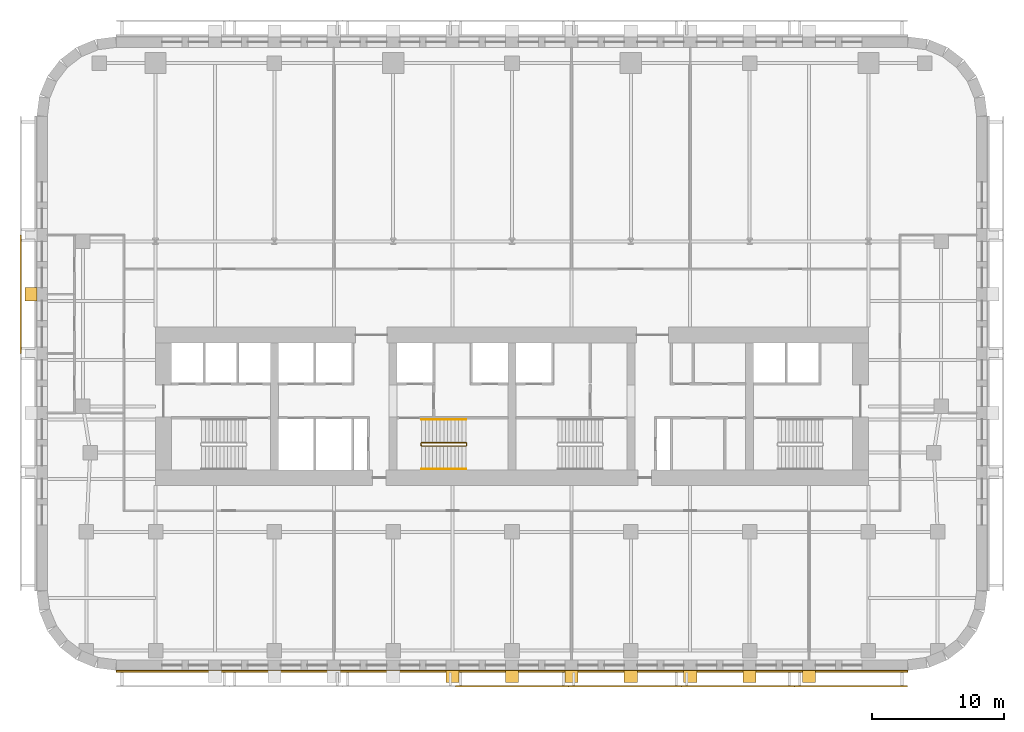
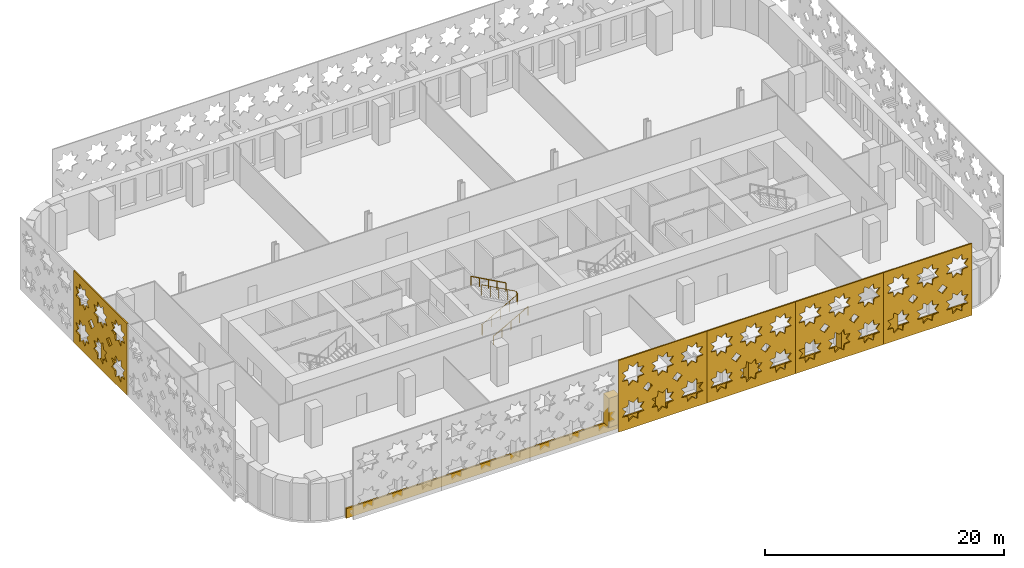
# One storey, part 11 of 14: 14 coverings, 3 railings.
"""IFC4 building model written with IfcOpenShell, lengths in metres."""

from ifc_helpers import new_model, si_unit, direction, frame, origin, origin_2d, place, context, subcontext, project, spatial, polyline, circle, outline, extrude, material, layer, layer_set, type_object, element, save


model = new_model("IFC4")

# Units and contexts
model_context = context("Model", 3, precision=1e-05, world=origin(), true_north=direction((0.0, 1.0)))
body_context = subcontext(model_context, "Body", "Model", "MODEL_VIEW")
ifc_project = project(units=[si_unit("LENGTHUNIT", "METRE"), si_unit("AREAUNIT", "SQUARE_METRE"), si_unit("VOLUMEUNIT", "CUBIC_METRE"), si_unit("PLANEANGLEUNIT", "RADIAN"), si_unit("MASSUNIT", "GRAM", prefix="KILO")], contexts=[model_context])

# Site, building, storey
site_placement = place(None, origin())
site = spatial("IfcSite", under=ifc_project, at=site_placement, CompositionType="ELEMENT")
building_placement = place(site_placement, origin())
building = spatial("IfcBuilding", under=site, at=building_placement, Name="Zellij Exchange Tower", CompositionType="ELEMENT")
storey_placement = place(building_placement, frame((0.0, 0.0, 68.5)))
storey = spatial("IfcBuildingStorey", under=building, at=storey_placement, Name="L13", CompositionType="ELEMENT", Elevation=68.5)

# Railings
ifc_material_1 = material(Name="Stainless steel", Category="steel")
railing_type_1 = type_object("IfcRailingType", Name="CORE-RG stair guard", PredefinedType="GUARDRAIL", material=ifc_material_1)
railing_1_placement = place(storey_placement, frame((-6.89990234375, -10.949951171875, 0.0)))
element("IfcRailing", 1, at=railing_1_placement, inside=storey, type_object=railing_type_1, Name="ST2 stair guard L13", PredefinedType="GUARDRAIL", context=body_context, shape_type="SweptSolid", body=[
    extrude(circle(Radius=0.02392578125, at=origin_2d()), frame((0.0, 0.0, 1.076171875), z_axis=(0.0, 1.0, 0.0), x_axis=(-1.0, 0.0, 0.0)), (0.0, 0.0, 1.0), 0.14990234375),
    extrude(circle(Radius=0.02392578125, at=origin_2d()), frame((0.0, 0.14990234375, 1.076171875), z_axis=(0.193691321961, -0.777613689637, 0.598164376644), x_axis=(0.970351222016, 0.241699205484, 0.0)), (0.0, 0.0, 1.0), 0.257080078125),
    extrude(circle(Radius=0.02392578125, at=origin_2d()), frame((0.0498046875, -0.050048828125, 1.22998046875), z_axis=(0.876421534553, 0.0, 0.481544695509), x_axis=(0.0, 1.0, 0.0)), (0.0, 0.0, 1.0), 3.833984375),
    extrude(circle(Radius=0.02392578125, at=origin_2d()), frame((3.409912109375, -0.050048828125, 3.076171875), z_axis=(0.707106781187, 0.707106781187, 0.0), x_axis=(-0.707106781187, 0.707106781187, 0.0)), (0.0, 0.0, 1.0), 0.07080078125),
    extrude(circle(Radius=0.02392578125, at=origin_2d()), frame((3.4599609375, 0.0, 3.076171875), z_axis=(0.0, 1.0, 0.0), x_axis=(-1.0, 0.0, 0.0)), (0.0, 0.0, 1.0), 0.14990234375),
    extrude(circle(Radius=0.02392578125, at=origin_2d()), frame((3.4599609375, 0.14990234375, 3.076171875), z_axis=(-0.295599637079, 0.295599637079, 0.908428152975), x_axis=(-0.707106781187, -0.707106781187, 0.0)), (0.0, 0.0, 1.0), 0.16943359375),
    extrude(circle(Radius=0.02392578125, at=origin_2d()), frame((3.409912109375, 0.199951171875, 3.22998046875), z_axis=(-0.876421534553, 0.0, 0.481544695509), x_axis=(0.0, -1.0, 0.0)), (0.0, 0.0, 1.0), 3.833984375),
    extrude(circle(Radius=0.02099609375, at=origin_2d()), origin(), (0.0, 0.0, 1.0), 1.052001953125),
    extrude(circle(Radius=0.02099609375, at=origin_2d()), frame((0.0, 0.14990234375, 0.0)), (0.0, 0.0, 1.0), 1.052001953125),
    extrude(circle(Radius=0.02099609375, at=origin_2d()), frame((0.0498046875, -0.050048828125, 0.15380859375)), (0.0, 0.0, 1.0), 1.052001953125),
    extrude(circle(Radius=0.02099609375, at=origin_2d()), frame((0.889892578125, -0.050048828125, 0.615234375)), (0.0, 0.0, 1.0), 1.052001953125),
    extrude(circle(Radius=0.02099609375, at=origin_2d()), frame((1.72998046875, -0.050048828125, 1.076904296875)), (0.0, 0.0, 1.0), 1.052001953125),
    extrude(circle(Radius=0.02099609375, at=origin_2d()), frame((2.56982421875, -0.050048828125, 1.53857421875)), (0.0, 0.0, 1.0), 1.052001953125),
    extrude(circle(Radius=0.02099609375, at=origin_2d()), frame((3.409912109375, -0.050048828125, 2.0)), (0.0, 0.0, 1.0), 1.052001953125),
    extrude(circle(Radius=0.02099609375, at=origin_2d()), frame((3.4599609375, 0.0, 2.0)), (0.0, 0.0, 1.0), 1.052001953125),
    extrude(circle(Radius=0.02099609375, at=origin_2d()), frame((3.4599609375, 0.14990234375, 2.0)), (0.0, 0.0, 1.0), 1.052001953125),
    extrude(circle(Radius=0.02099609375, at=origin_2d()), frame((3.409912109375, 0.199951171875, 2.15380859375)), (0.0, 0.0, 1.0), 1.052001953125),
    extrude(circle(Radius=0.02099609375, at=origin_2d()), frame((2.56982421875, 0.199951171875, 2.615234375)), (0.0, 0.0, 1.0), 1.052001953125),
    extrude(circle(Radius=0.02099609375, at=origin_2d()), frame((1.72998046875, 0.199951171875, 3.076904296875)), (0.0, 0.0, 1.0), 1.052001953125),
    extrude(circle(Radius=0.02099609375, at=origin_2d()), frame((0.889892578125, 0.199951171875, 3.53857421875)), (0.0, 0.0, 1.0), 1.052001953125),
    extrude(circle(Radius=0.02099609375, at=origin_2d()), frame((0.0498046875, 0.199951171875, 4.0)), (0.0, 0.0, 1.0), 1.052001953125),
])
railing_type_2 = type_object("IfcRailingType", Name="CORE-RH stair handrail", PredefinedType="HANDRAIL", material=ifc_material_1)
railing_2_placement = place(storey_placement, frame((-6.85009765625, -12.75, 0.15380859375)))
element("IfcRailing", 2, at=railing_2_placement, inside=storey, type_object=railing_type_2, Name="ST2 stair handrail L13", PredefinedType="HANDRAIL", context=body_context, shape_type="SweptSolid", body=[
    extrude(circle(Radius=0.02392578125, at=origin_2d()), frame((0.0, 0.0, 0.8759765625), z_axis=(0.876421534553, 0.0, 0.481544695509), x_axis=(0.0, 1.0, 0.0)), (0.0, 0.0, 1.0), 3.833984375),
    extrude(circle(Radius=0.02099609375, at=origin_2d()), origin(), (0.0, 0.0, 1.0), 0.851806640625),
    extrude(circle(Radius=0.02099609375, at=origin_2d()), frame((0.840087890625, 0.0, 0.46142578125)), (0.0, 0.0, 1.0), 0.851806640625),
    extrude(circle(Radius=0.02099609375, at=origin_2d()), frame((1.68017578125, 0.0, 0.923095703125)), (0.0, 0.0, 1.0), 0.851806640625),
    extrude(circle(Radius=0.02099609375, at=origin_2d()), frame((2.52001953125, 0.0, 1.384765625)), (0.0, 0.0, 1.0), 0.851806640625),
    extrude(circle(Radius=0.02099609375, at=origin_2d()), frame((3.360107421875, 0.0, 1.84619140625)), (0.0, 0.0, 1.0), 0.851806640625),
])
railing_3_placement = place(storey_placement, frame((-3.489990234375, -9.0, 2.15380859375)))
element("IfcRailing", 3, at=railing_3_placement, inside=storey, type_object=railing_type_2, Name="ST2 stair handrail L13", PredefinedType="HANDRAIL", context=body_context, shape_type="SweptSolid", body=[
    extrude(circle(Radius=0.02392578125, at=origin_2d()), frame((0.0, 0.0, 0.8759765625), z_axis=(-0.876421534553, 0.0, 0.481544695509), x_axis=(0.0, -1.0, 0.0)), (0.0, 0.0, 1.0), 3.833984375),
    extrude(circle(Radius=0.02099609375, at=origin_2d()), origin(), (0.0, 0.0, 1.0), 0.851806640625),
    extrude(circle(Radius=0.02099609375, at=origin_2d()), frame((-0.840087890625, 0.0, 0.46142578125)), (0.0, 0.0, 1.0), 0.851806640625),
    extrude(circle(Radius=0.02099609375, at=origin_2d()), frame((-1.68017578125, 0.0, 0.923095703125)), (0.0, 0.0, 1.0), 0.851806640625),
    extrude(circle(Radius=0.02099609375, at=origin_2d()), frame((-2.52001953125, 0.0, 1.384765625)), (0.0, 0.0, 1.0), 0.851806640625),
    extrude(circle(Radius=0.02099609375, at=origin_2d()), frame((-3.360107421875, 0.0, 1.84619140625)), (0.0, 0.0, 1.0), 0.851806640625),
])

# Coverings
ifc_material_2 = material(Name="Limestone cladding", Category="masonry")
ifc_layer_1 = layer(ifc_material_2, 0.14990234375)
ifc_layer_set_1 = layer_set([ifc_layer_1], Name="Limestone cladding")
covering_type_1 = type_object("IfcCoveringType", Name="ENV-CV1 Stone spandrel band 150", PredefinedType="CLADDING", material=ifc_layer_set_1)
covering_1_placement = place(storey_placement, frame((0.0, 0.0, -0.199951171875)))
element("IfcCovering", 4, at=covering_1_placement, inside=storey, type_object=covering_type_1, Name="Stone spandrel band", PredefinedType="CLADDING", context=body_context, shape_type="SweptSolid", body=[
    extrude(outline(polyline([(-29.973876953125, -28.0), (29.973876953125, -28.0), (29.983642578125, -28.14990234375), (-29.983642578125, -28.14990234375), (-29.973876953125, -28.0)])), origin(), (0.0, 0.0, 1.0), 1.0),
])
covering_type_2 = type_object("IfcCoveringType", Name="ENV-CV2 Stone pier 1000x900", PredefinedType="CLADDING", material=ifc_material_2)
covering_2_placement = place(storey_placement, frame((0.0, 0.0, 0.800048828125)))
element("IfcCovering", 5, at=covering_2_placement, inside=storey, type_object=covering_type_2, Name="Stone pier", PredefinedType="CLADDING", context=body_context, shape_type="SweptSolid", body=[
    extrude(outline(polyline([(-5.0, -28.0), (-4.0, -28.0), (-4.0, -28.89990234375), (-5.0, -28.89990234375), (-5.0, -28.0)])), origin(), (0.0, 0.0, 1.0), 3.0),
])
covering_3_placement = place(storey_placement, frame((0.0, 0.0, 0.800048828125)))
element("IfcCovering", 6, at=covering_3_placement, inside=storey, type_object=covering_type_2, Name="Stone pier", PredefinedType="CLADDING", context=body_context, shape_type="SweptSolid", body=[
    extrude(outline(polyline([(-0.5, -28.0), (0.5, -28.0), (0.5, -28.89990234375), (-0.5, -28.89990234375), (-0.5, -28.0)])), origin(), (0.0, 0.0, 1.0), 3.0),
])
covering_4_placement = place(storey_placement, frame((0.0, 0.0, 0.800048828125)))
element("IfcCovering", 7, at=covering_4_placement, inside=storey, type_object=covering_type_2, Name="Stone pier", PredefinedType="CLADDING", context=body_context, shape_type="SweptSolid", body=[
    extrude(outline(polyline([(4.0, -28.0), (5.0, -28.0), (5.0, -28.89990234375), (4.0, -28.89990234375), (4.0, -28.0)])), origin(), (0.0, 0.0, 1.0), 3.0),
])
covering_5_placement = place(storey_placement, frame((0.0, 0.0, 0.800048828125)))
element("IfcCovering", 8, at=covering_5_placement, inside=storey, type_object=covering_type_2, Name="Stone pier", PredefinedType="CLADDING", context=body_context, shape_type="SweptSolid", body=[
    extrude(outline(polyline([(8.5, -28.0), (9.5, -28.0), (9.5, -28.89990234375), (8.5, -28.89990234375), (8.5, -28.0)])), origin(), (0.0, 0.0, 1.0), 3.0),
])
covering_6_placement = place(storey_placement, frame((0.0, 0.0, 0.800048828125)))
element("IfcCovering", 9, at=covering_6_placement, inside=storey, type_object=covering_type_2, Name="Stone pier", PredefinedType="CLADDING", context=body_context, shape_type="SweptSolid", body=[
    extrude(outline(polyline([(13.0, -28.0), (14.0, -28.0), (14.0, -28.89990234375), (13.0, -28.89990234375), (13.0, -28.0)])), origin(), (0.0, 0.0, 1.0), 3.0),
])
covering_7_placement = place(storey_placement, frame((0.0, 0.0, 0.800048828125)))
element("IfcCovering", 10, at=covering_7_placement, inside=storey, type_object=covering_type_2, Name="Stone pier", PredefinedType="CLADDING", context=body_context, shape_type="SweptSolid", body=[
    extrude(outline(polyline([(17.5, -28.0), (18.5, -28.0), (18.5, -28.89990234375), (17.5, -28.89990234375), (17.5, -28.0)])), origin(), (0.0, 0.0, 1.0), 3.0),
])
covering_8_placement = place(storey_placement, frame((0.0, 0.0, 0.800048828125)))
element("IfcCovering", 11, at=covering_8_placement, inside=storey, type_object=covering_type_2, Name="Stone pier", PredefinedType="CLADDING", context=body_context, shape_type="SweptSolid", body=[
    extrude(outline(polyline([(22.0, -28.0), (23.0, -28.0), (23.0, -28.89990234375), (22.0, -28.89990234375), (22.0, -28.0)])), origin(), (0.0, 0.0, 1.0), 3.0),
])
covering_9_placement = place(storey_placement, frame((0.0, 0.0, 0.800048828125)))
element("IfcCovering", 12, at=covering_9_placement, inside=storey, type_object=covering_type_2, Name="Stone pier", PredefinedType="CLADDING", context=body_context, shape_type="SweptSolid", body=[
    extrude(outline(polyline([(-36.0, 0.993408203125), (-36.0, -0.006591796875), (-36.89990234375, -0.006591796875), (-36.89990234375, 0.993408203125), (-36.0, 0.993408203125)])), origin(), (0.0, 0.0, 1.0), 3.0),
])
ifc_material_3 = material(Name="Limestone screen", Category="masonry")
ifc_layer_2 = layer(ifc_material_3, 0.1201171875)
ifc_layer_set_2 = layer_set([ifc_layer_2], Name="Limestone screen")
covering_type_3 = type_object("IfcCoveringType", Name="ENV-SC1 Pierced stone screen 120", PredefinedType="USERDEFINED", material=ifc_layer_set_2)
covering_10_placement = place(storey_placement, frame((-37.2099609375, 4.973876953125, 0.300048828125), z_axis=(0.0, 0.0, 1.0), x_axis=(0.0, -1.0, 0.0)))
element("IfcCovering", 13, at=covering_10_placement, inside=storey, type_object=covering_type_3, Name="Pierced stone screen", ObjectType="SCREEN", PredefinedType="USERDEFINED", context=body_context, shape_type="SweptSolid", body=[
    extrude(outline(polyline([(0.0, 0.0), (8.973876953125, 0.0), (8.973876953125, 7.35009765625), (0.0, 7.35009765625), (0.0, 0.0)]), holes=[polyline([(2.60107421875, 2.29541015625), (2.020263671875, 2.362060546875), (1.95361328125, 2.94287109375), (1.49560546875, 2.579345703125), (1.03759765625, 2.94287109375), (0.97119140625, 2.362060546875), (0.39013671875, 2.29541015625), (0.75390625, 1.83740234375), (0.39013671875, 1.379638671875), (0.97119140625, 1.31298828125), (1.03759765625, 0.732177734375), (1.49560546875, 1.095703125), (1.95361328125, 0.732177734375), (2.020263671875, 1.31298828125), (2.60107421875, 1.379638671875), (2.237548828125, 1.83740234375), (2.60107421875, 2.29541015625)]), polyline([(2.60107421875, 5.970458984375), (2.020263671875, 6.037109375), (1.95361328125, 6.617919921875), (1.49560546875, 6.25439453125), (1.03759765625, 6.617919921875), (0.97119140625, 6.037109375), (0.39013671875, 5.970458984375), (0.75390625, 5.512451171875), (0.39013671875, 5.0546875), (0.97119140625, 4.98779296875), (1.03759765625, 4.406982421875), (1.49560546875, 4.770751953125), (1.95361328125, 4.406982421875), (2.020263671875, 4.98779296875), (2.60107421875, 5.0546875), (2.237548828125, 5.512451171875), (2.60107421875, 5.970458984375)]), polyline([(5.59228515625, 2.29541015625), (5.011474609375, 2.362060546875), (4.94482421875, 2.94287109375), (4.48681640625, 2.579345703125), (4.029052734375, 2.94287109375), (3.96240234375, 2.362060546875), (3.381591796875, 2.29541015625), (3.7451171875, 1.83740234375), (3.381591796875, 1.379638671875), (3.96240234375, 1.31298828125), (4.029052734375, 0.732177734375), (4.48681640625, 1.095703125), (4.94482421875, 0.732177734375), (5.011474609375, 1.31298828125), (5.59228515625, 1.379638671875), (5.228759765625, 1.83740234375), (5.59228515625, 2.29541015625)]), polyline([(5.59228515625, 5.970458984375), (5.011474609375, 6.037109375), (4.94482421875, 6.617919921875), (4.48681640625, 6.25439453125), (4.029052734375, 6.617919921875), (3.96240234375, 6.037109375), (3.381591796875, 5.970458984375), (3.7451171875, 5.512451171875), (3.381591796875, 5.0546875), (3.96240234375, 4.98779296875), (4.029052734375, 4.406982421875), (4.48681640625, 4.770751953125), (4.94482421875, 4.406982421875), (5.011474609375, 4.98779296875), (5.59228515625, 5.0546875), (5.228759765625, 5.512451171875), (5.59228515625, 5.970458984375)]), polyline([(8.58349609375, 2.29541015625), (8.002685546875, 2.362060546875), (7.93603515625, 2.94287109375), (7.478271484375, 2.579345703125), (7.020263671875, 2.94287109375), (6.95361328125, 2.362060546875), (6.372802734375, 2.29541015625), (6.736328125, 1.83740234375), (6.372802734375, 1.379638671875), (6.95361328125, 1.31298828125), (7.020263671875, 0.732177734375), (7.478271484375, 1.095703125), (7.93603515625, 0.732177734375), (8.002685546875, 1.31298828125), (8.58349609375, 1.379638671875), (8.219970703125, 1.83740234375), (8.58349609375, 2.29541015625)]), polyline([(8.58349609375, 5.970458984375), (8.002685546875, 6.037109375), (7.93603515625, 6.617919921875), (7.478271484375, 6.25439453125), (7.020263671875, 6.617919921875), (6.95361328125, 6.037109375), (6.372802734375, 5.970458984375), (6.736328125, 5.512451171875), (6.372802734375, 5.0546875), (6.95361328125, 4.98779296875), (7.020263671875, 4.406982421875), (7.478271484375, 4.770751953125), (7.93603515625, 4.406982421875), (8.002685546875, 4.98779296875), (8.58349609375, 5.0546875), (8.219970703125, 5.512451171875), (8.58349609375, 5.970458984375)]), polyline([(3.469970703125, 3.675048828125), (2.9912109375, 4.153564453125), (2.5126953125, 3.675048828125), (2.9912109375, 3.1962890625), (3.469970703125, 3.675048828125)]), polyline([(6.461181640625, 3.675048828125), (5.982421875, 4.153564453125), (5.50390625, 3.675048828125), (5.982421875, 3.1962890625), (6.461181640625, 3.675048828125)])]), frame((0.0, 0.06005859375, 0.0), z_axis=(0.0, -1.0, 0.0), x_axis=(1.0, 0.0, 0.0)), (0.0, 0.0, 1.0), 0.1201171875),
])
covering_11_placement = place(storey_placement, frame((-4.2783203125, -29.2099609375, 0.300048828125), z_axis=(0.0, 0.0, 1.0), x_axis=(1.0, 0.0, 0.0)))
element("IfcCovering", 14, at=covering_11_placement, inside=storey, type_object=covering_type_3, Name="Pierced stone screen", ObjectType="SCREEN", PredefinedType="USERDEFINED", context=body_context, shape_type="SweptSolid", body=[
    extrude(outline(polyline([(0.0, 0.0), (8.556396484375, 0.0), (8.556396484375, 7.35009765625), (0.0, 7.35009765625), (0.0, 0.0)]), holes=[polyline([(2.47998046875, 2.274169921875), (1.92626953125, 2.337646484375), (1.86279296875, 2.8916015625), (1.426025390625, 2.544921875), (0.989501953125, 2.8916015625), (0.92578125, 2.337646484375), (0.3720703125, 2.274169921875), (0.71875, 1.83740234375), (0.3720703125, 1.40087890625), (0.92578125, 1.33740234375), (0.989501953125, 0.783447265625), (1.426025390625, 1.130126953125), (1.86279296875, 0.783447265625), (1.92626953125, 1.33740234375), (2.47998046875, 1.40087890625), (2.13330078125, 1.83740234375), (2.47998046875, 2.274169921875)]), polyline([(2.47998046875, 5.94921875), (1.92626953125, 6.0126953125), (1.86279296875, 6.56640625), (1.426025390625, 6.2197265625), (0.989501953125, 6.56640625), (0.92578125, 6.0126953125), (0.3720703125, 5.94921875), (0.71875, 5.512451171875), (0.3720703125, 5.075927734375), (0.92578125, 5.01220703125), (0.989501953125, 4.45849609375), (1.426025390625, 4.80517578125), (1.86279296875, 4.45849609375), (1.92626953125, 5.01220703125), (2.47998046875, 5.075927734375), (2.13330078125, 5.512451171875), (2.47998046875, 5.94921875)]), polyline([(5.332275390625, 2.274169921875), (4.7783203125, 2.337646484375), (4.71484375, 2.8916015625), (4.2783203125, 2.544921875), (3.841552734375, 2.8916015625), (3.778076171875, 2.337646484375), (3.22412109375, 2.274169921875), (3.57080078125, 1.83740234375), (3.22412109375, 1.40087890625), (3.778076171875, 1.33740234375), (3.841552734375, 0.783447265625), (4.2783203125, 1.130126953125), (4.71484375, 0.783447265625), (4.7783203125, 1.33740234375), (5.332275390625, 1.40087890625), (4.985595703125, 1.83740234375), (5.332275390625, 2.274169921875)]), polyline([(5.332275390625, 5.94921875), (4.7783203125, 6.0126953125), (4.71484375, 6.56640625), (4.2783203125, 6.2197265625), (3.841552734375, 6.56640625), (3.778076171875, 6.0126953125), (3.22412109375, 5.94921875), (3.57080078125, 5.512451171875), (3.22412109375, 5.075927734375), (3.778076171875, 5.01220703125), (3.841552734375, 4.45849609375), (4.2783203125, 4.80517578125), (4.71484375, 4.45849609375), (4.7783203125, 5.01220703125), (5.332275390625, 5.075927734375), (4.985595703125, 5.512451171875), (5.332275390625, 5.94921875)]), polyline([(8.184326171875, 2.274169921875), (7.630615234375, 2.337646484375), (7.56689453125, 2.8916015625), (7.13037109375, 2.544921875), (6.69384765625, 2.8916015625), (6.630126953125, 2.337646484375), (6.076416015625, 2.274169921875), (6.423095703125, 1.83740234375), (6.076416015625, 1.40087890625), (6.630126953125, 1.33740234375), (6.69384765625, 0.783447265625), (7.13037109375, 1.130126953125), (7.56689453125, 0.783447265625), (7.630615234375, 1.33740234375), (8.184326171875, 1.40087890625), (7.837646484375, 1.83740234375), (8.184326171875, 2.274169921875)]), polyline([(8.184326171875, 5.94921875), (7.630615234375, 6.0126953125), (7.56689453125, 6.56640625), (7.13037109375, 6.2197265625), (6.69384765625, 6.56640625), (6.630126953125, 6.0126953125), (6.076416015625, 5.94921875), (6.423095703125, 5.512451171875), (6.076416015625, 5.075927734375), (6.630126953125, 5.01220703125), (6.69384765625, 4.45849609375), (7.13037109375, 4.80517578125), (7.56689453125, 4.45849609375), (7.630615234375, 5.01220703125), (8.184326171875, 5.075927734375), (7.837646484375, 5.512451171875), (8.184326171875, 5.94921875)]), polyline([(3.30859375, 3.675048828125), (2.852294921875, 4.13134765625), (2.395751953125, 3.675048828125), (2.852294921875, 3.21875), (3.30859375, 3.675048828125)]), polyline([(6.16064453125, 3.675048828125), (5.704345703125, 4.13134765625), (5.248046875, 3.675048828125), (5.704345703125, 3.21875), (6.16064453125, 3.675048828125)])]), frame((0.0, 0.06005859375, 0.0), z_axis=(0.0, -1.0, 0.0), x_axis=(1.0, 0.0, 0.0)), (0.0, 0.0, 1.0), 0.1201171875),
])
covering_12_placement = place(storey_placement, frame((4.2783203125, -29.2099609375, 0.300048828125), z_axis=(0.0, 0.0, 1.0), x_axis=(1.0, 0.0, 0.0)))
element("IfcCovering", 15, at=covering_12_placement, inside=storey, type_object=covering_type_3, Name="Pierced stone screen", ObjectType="SCREEN", PredefinedType="USERDEFINED", context=body_context, shape_type="SweptSolid", body=[
    extrude(outline(polyline([(0.0, 0.0), (8.556396484375, 0.0), (8.556396484375, 7.35009765625), (0.0, 7.35009765625), (0.0, 0.0)]), holes=[polyline([(2.47998046875, 2.274169921875), (1.92626953125, 2.337646484375), (1.86279296875, 2.8916015625), (1.426025390625, 2.544921875), (0.989501953125, 2.8916015625), (0.92578125, 2.337646484375), (0.3720703125, 2.274169921875), (0.71875, 1.83740234375), (0.3720703125, 1.40087890625), (0.92578125, 1.33740234375), (0.989501953125, 0.783447265625), (1.426025390625, 1.130126953125), (1.86279296875, 0.783447265625), (1.92626953125, 1.33740234375), (2.47998046875, 1.40087890625), (2.13330078125, 1.83740234375), (2.47998046875, 2.274169921875)]), polyline([(2.47998046875, 5.94921875), (1.92626953125, 6.0126953125), (1.86279296875, 6.56640625), (1.426025390625, 6.2197265625), (0.989501953125, 6.56640625), (0.92578125, 6.0126953125), (0.3720703125, 5.94921875), (0.71875, 5.512451171875), (0.3720703125, 5.075927734375), (0.92578125, 5.01220703125), (0.989501953125, 4.45849609375), (1.426025390625, 4.80517578125), (1.86279296875, 4.45849609375), (1.92626953125, 5.01220703125), (2.47998046875, 5.075927734375), (2.13330078125, 5.512451171875), (2.47998046875, 5.94921875)]), polyline([(5.332275390625, 2.274169921875), (4.7783203125, 2.337646484375), (4.71484375, 2.8916015625), (4.2783203125, 2.544921875), (3.841552734375, 2.8916015625), (3.778076171875, 2.337646484375), (3.22412109375, 2.274169921875), (3.57080078125, 1.83740234375), (3.22412109375, 1.40087890625), (3.778076171875, 1.33740234375), (3.841552734375, 0.783447265625), (4.2783203125, 1.130126953125), (4.71484375, 0.783447265625), (4.7783203125, 1.33740234375), (5.332275390625, 1.40087890625), (4.985595703125, 1.83740234375), (5.332275390625, 2.274169921875)]), polyline([(5.332275390625, 5.94921875), (4.7783203125, 6.0126953125), (4.71484375, 6.56640625), (4.2783203125, 6.2197265625), (3.841552734375, 6.56640625), (3.778076171875, 6.0126953125), (3.22412109375, 5.94921875), (3.57080078125, 5.512451171875), (3.22412109375, 5.075927734375), (3.778076171875, 5.01220703125), (3.841552734375, 4.45849609375), (4.2783203125, 4.80517578125), (4.71484375, 4.45849609375), (4.7783203125, 5.01220703125), (5.332275390625, 5.075927734375), (4.985595703125, 5.512451171875), (5.332275390625, 5.94921875)]), polyline([(8.184326171875, 2.274169921875), (7.630615234375, 2.337646484375), (7.56689453125, 2.8916015625), (7.13037109375, 2.544921875), (6.69384765625, 2.8916015625), (6.630126953125, 2.337646484375), (6.076416015625, 2.274169921875), (6.423095703125, 1.83740234375), (6.076416015625, 1.40087890625), (6.630126953125, 1.33740234375), (6.69384765625, 0.783447265625), (7.13037109375, 1.130126953125), (7.56689453125, 0.783447265625), (7.630615234375, 1.33740234375), (8.184326171875, 1.40087890625), (7.837646484375, 1.83740234375), (8.184326171875, 2.274169921875)]), polyline([(8.184326171875, 5.94921875), (7.630615234375, 6.0126953125), (7.56689453125, 6.56640625), (7.13037109375, 6.2197265625), (6.69384765625, 6.56640625), (6.630126953125, 6.0126953125), (6.076416015625, 5.94921875), (6.423095703125, 5.512451171875), (6.076416015625, 5.075927734375), (6.630126953125, 5.01220703125), (6.69384765625, 4.45849609375), (7.13037109375, 4.80517578125), (7.56689453125, 4.45849609375), (7.630615234375, 5.01220703125), (8.184326171875, 5.075927734375), (7.837646484375, 5.512451171875), (8.184326171875, 5.94921875)]), polyline([(3.30859375, 3.675048828125), (2.852294921875, 4.13134765625), (2.395751953125, 3.675048828125), (2.852294921875, 3.21875), (3.30859375, 3.675048828125)]), polyline([(6.16064453125, 3.675048828125), (5.704345703125, 4.13134765625), (5.248046875, 3.675048828125), (5.704345703125, 3.21875), (6.16064453125, 3.675048828125)])]), frame((0.0, 0.06005859375, 0.0), z_axis=(0.0, -1.0, 0.0), x_axis=(1.0, 0.0, 0.0)), (0.0, 0.0, 1.0), 0.1201171875),
])
covering_13_placement = place(storey_placement, frame((12.834716796875, -29.2099609375, 0.300048828125), z_axis=(0.0, 0.0, 1.0), x_axis=(1.0, 0.0, 0.0)))
element("IfcCovering", 16, at=covering_13_placement, inside=storey, type_object=covering_type_3, Name="Pierced stone screen", ObjectType="SCREEN", PredefinedType="USERDEFINED", context=body_context, shape_type="SweptSolid", body=[
    extrude(outline(polyline([(0.0, 0.0), (8.556396484375, 0.0), (8.556396484375, 7.35009765625), (0.0, 7.35009765625), (0.0, 0.0)]), holes=[polyline([(2.47998046875, 2.274169921875), (1.92626953125, 2.337646484375), (1.86279296875, 2.8916015625), (1.426025390625, 2.544921875), (0.989501953125, 2.8916015625), (0.92578125, 2.337646484375), (0.3720703125, 2.274169921875), (0.71875, 1.83740234375), (0.3720703125, 1.40087890625), (0.92578125, 1.33740234375), (0.989501953125, 0.783447265625), (1.426025390625, 1.130126953125), (1.86279296875, 0.783447265625), (1.92626953125, 1.33740234375), (2.47998046875, 1.40087890625), (2.13330078125, 1.83740234375), (2.47998046875, 2.274169921875)]), polyline([(2.47998046875, 5.94921875), (1.92626953125, 6.0126953125), (1.86279296875, 6.56640625), (1.426025390625, 6.2197265625), (0.989501953125, 6.56640625), (0.92578125, 6.0126953125), (0.3720703125, 5.94921875), (0.71875, 5.512451171875), (0.3720703125, 5.075927734375), (0.92578125, 5.01220703125), (0.989501953125, 4.45849609375), (1.426025390625, 4.80517578125), (1.86279296875, 4.45849609375), (1.92626953125, 5.01220703125), (2.47998046875, 5.075927734375), (2.13330078125, 5.512451171875), (2.47998046875, 5.94921875)]), polyline([(5.332275390625, 2.274169921875), (4.7783203125, 2.337646484375), (4.71484375, 2.8916015625), (4.2783203125, 2.544921875), (3.841552734375, 2.8916015625), (3.778076171875, 2.337646484375), (3.22412109375, 2.274169921875), (3.57080078125, 1.83740234375), (3.22412109375, 1.40087890625), (3.778076171875, 1.33740234375), (3.841552734375, 0.783447265625), (4.2783203125, 1.130126953125), (4.71484375, 0.783447265625), (4.7783203125, 1.33740234375), (5.332275390625, 1.40087890625), (4.985595703125, 1.83740234375), (5.332275390625, 2.274169921875)]), polyline([(5.332275390625, 5.94921875), (4.7783203125, 6.0126953125), (4.71484375, 6.56640625), (4.2783203125, 6.2197265625), (3.841552734375, 6.56640625), (3.778076171875, 6.0126953125), (3.22412109375, 5.94921875), (3.57080078125, 5.512451171875), (3.22412109375, 5.075927734375), (3.778076171875, 5.01220703125), (3.841552734375, 4.45849609375), (4.2783203125, 4.80517578125), (4.71484375, 4.45849609375), (4.7783203125, 5.01220703125), (5.332275390625, 5.075927734375), (4.985595703125, 5.512451171875), (5.332275390625, 5.94921875)]), polyline([(8.184326171875, 2.274169921875), (7.630615234375, 2.337646484375), (7.56689453125, 2.8916015625), (7.13037109375, 2.544921875), (6.69384765625, 2.8916015625), (6.630126953125, 2.337646484375), (6.076416015625, 2.274169921875), (6.423095703125, 1.83740234375), (6.076416015625, 1.40087890625), (6.630126953125, 1.33740234375), (6.69384765625, 0.783447265625), (7.13037109375, 1.130126953125), (7.56689453125, 0.783447265625), (7.630615234375, 1.33740234375), (8.184326171875, 1.40087890625), (7.837646484375, 1.83740234375), (8.184326171875, 2.274169921875)]), polyline([(8.184326171875, 5.94921875), (7.630615234375, 6.0126953125), (7.56689453125, 6.56640625), (7.13037109375, 6.2197265625), (6.69384765625, 6.56640625), (6.630126953125, 6.0126953125), (6.076416015625, 5.94921875), (6.423095703125, 5.512451171875), (6.076416015625, 5.075927734375), (6.630126953125, 5.01220703125), (6.69384765625, 4.45849609375), (7.13037109375, 4.80517578125), (7.56689453125, 4.45849609375), (7.630615234375, 5.01220703125), (8.184326171875, 5.075927734375), (7.837646484375, 5.512451171875), (8.184326171875, 5.94921875)]), polyline([(3.30859375, 3.675048828125), (2.852294921875, 4.13134765625), (2.395751953125, 3.675048828125), (2.852294921875, 3.21875), (3.30859375, 3.675048828125)]), polyline([(6.16064453125, 3.675048828125), (5.704345703125, 4.13134765625), (5.248046875, 3.675048828125), (5.704345703125, 3.21875), (6.16064453125, 3.675048828125)])]), frame((0.0, 0.06005859375, 0.0), z_axis=(0.0, -1.0, 0.0), x_axis=(1.0, 0.0, 0.0)), (0.0, 0.0, 1.0), 0.1201171875),
])
covering_14_placement = place(storey_placement, frame((21.39111328125, -29.2099609375, 0.300048828125), z_axis=(0.0, 0.0, 1.0), x_axis=(1.0, 0.0, 0.0)))
element("IfcCovering", 17, at=covering_14_placement, inside=storey, type_object=covering_type_3, Name="Pierced stone screen", ObjectType="SCREEN", PredefinedType="USERDEFINED", context=body_context, shape_type="SweptSolid", body=[
    extrude(outline(polyline([(0.0, 0.0), (8.556396484375, 0.0), (8.556396484375, 7.35009765625), (0.0, 7.35009765625), (0.0, 0.0)]), holes=[polyline([(2.47998046875, 2.274169921875), (1.92626953125, 2.337646484375), (1.86279296875, 2.8916015625), (1.426025390625, 2.544921875), (0.989501953125, 2.8916015625), (0.92578125, 2.337646484375), (0.3720703125, 2.274169921875), (0.71875, 1.83740234375), (0.3720703125, 1.40087890625), (0.92578125, 1.33740234375), (0.989501953125, 0.783447265625), (1.426025390625, 1.130126953125), (1.86279296875, 0.783447265625), (1.92626953125, 1.33740234375), (2.47998046875, 1.40087890625), (2.13330078125, 1.83740234375), (2.47998046875, 2.274169921875)]), polyline([(2.47998046875, 5.94921875), (1.92626953125, 6.0126953125), (1.86279296875, 6.56640625), (1.426025390625, 6.2197265625), (0.989501953125, 6.56640625), (0.92578125, 6.0126953125), (0.3720703125, 5.94921875), (0.71875, 5.512451171875), (0.3720703125, 5.075927734375), (0.92578125, 5.01220703125), (0.989501953125, 4.45849609375), (1.426025390625, 4.80517578125), (1.86279296875, 4.45849609375), (1.92626953125, 5.01220703125), (2.47998046875, 5.075927734375), (2.13330078125, 5.512451171875), (2.47998046875, 5.94921875)]), polyline([(5.332275390625, 2.274169921875), (4.7783203125, 2.337646484375), (4.71484375, 2.8916015625), (4.2783203125, 2.544921875), (3.841552734375, 2.8916015625), (3.778076171875, 2.337646484375), (3.22412109375, 2.274169921875), (3.57080078125, 1.83740234375), (3.22412109375, 1.40087890625), (3.778076171875, 1.33740234375), (3.841552734375, 0.783447265625), (4.2783203125, 1.130126953125), (4.71484375, 0.783447265625), (4.7783203125, 1.33740234375), (5.332275390625, 1.40087890625), (4.985595703125, 1.83740234375), (5.332275390625, 2.274169921875)]), polyline([(5.332275390625, 5.94921875), (4.7783203125, 6.0126953125), (4.71484375, 6.56640625), (4.2783203125, 6.2197265625), (3.841552734375, 6.56640625), (3.778076171875, 6.0126953125), (3.22412109375, 5.94921875), (3.57080078125, 5.512451171875), (3.22412109375, 5.075927734375), (3.778076171875, 5.01220703125), (3.841552734375, 4.45849609375), (4.2783203125, 4.80517578125), (4.71484375, 4.45849609375), (4.7783203125, 5.01220703125), (5.332275390625, 5.075927734375), (4.985595703125, 5.512451171875), (5.332275390625, 5.94921875)]), polyline([(8.184326171875, 2.274169921875), (7.630615234375, 2.337646484375), (7.56689453125, 2.8916015625), (7.13037109375, 2.544921875), (6.69384765625, 2.8916015625), (6.630126953125, 2.337646484375), (6.076416015625, 2.274169921875), (6.423095703125, 1.83740234375), (6.076416015625, 1.40087890625), (6.630126953125, 1.33740234375), (6.69384765625, 0.783447265625), (7.13037109375, 1.130126953125), (7.56689453125, 0.783447265625), (7.630615234375, 1.33740234375), (8.184326171875, 1.40087890625), (7.837646484375, 1.83740234375), (8.184326171875, 2.274169921875)]), polyline([(8.184326171875, 5.94921875), (7.630615234375, 6.0126953125), (7.56689453125, 6.56640625), (7.13037109375, 6.2197265625), (6.69384765625, 6.56640625), (6.630126953125, 6.0126953125), (6.076416015625, 5.94921875), (6.423095703125, 5.512451171875), (6.076416015625, 5.075927734375), (6.630126953125, 5.01220703125), (6.69384765625, 4.45849609375), (7.13037109375, 4.80517578125), (7.56689453125, 4.45849609375), (7.630615234375, 5.01220703125), (8.184326171875, 5.075927734375), (7.837646484375, 5.512451171875), (8.184326171875, 5.94921875)]), polyline([(3.30859375, 3.675048828125), (2.852294921875, 4.13134765625), (2.395751953125, 3.675048828125), (2.852294921875, 3.21875), (3.30859375, 3.675048828125)]), polyline([(6.16064453125, 3.675048828125), (5.704345703125, 4.13134765625), (5.248046875, 3.675048828125), (5.704345703125, 3.21875), (6.16064453125, 3.675048828125)])]), frame((0.0, 0.06005859375, 0.0), z_axis=(0.0, -1.0, 0.0), x_axis=(1.0, 0.0, 0.0)), (0.0, 0.0, 1.0), 0.1201171875),
])

save(model, "model.ifc")
